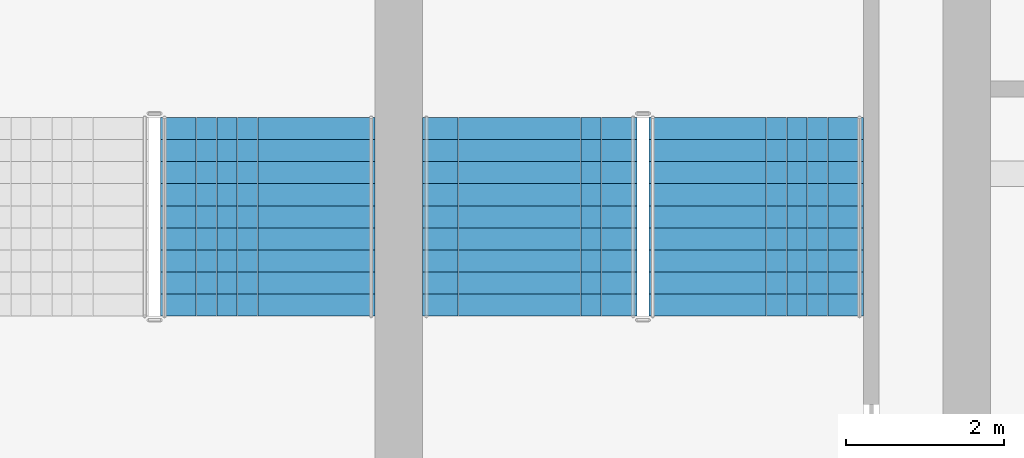
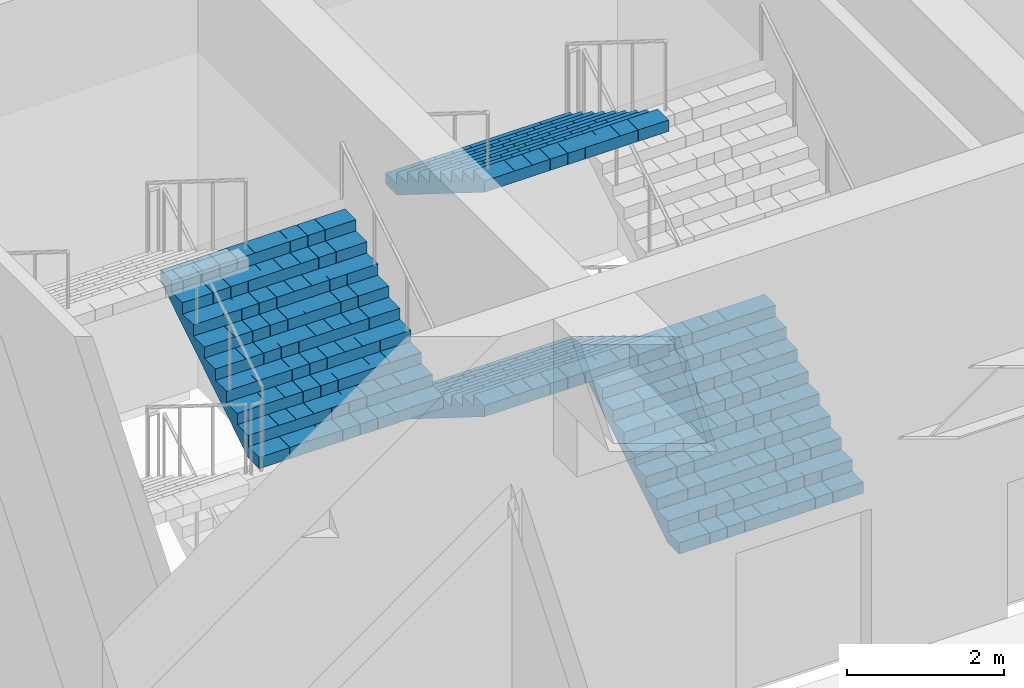
# One storey, part 37 of 45: 4 stair flights, 2 elements without a shape of their own.
"""IFC4 building model written with IfcOpenShell, lengths in metres."""

from ifc_helpers import new_model, si_unit, direction, frame, origin, place, context, subcontext, project, spatial, polyline, outline, extrude, material, type_object, element, aggregate, save


model = new_model("IFC4")

# Units and contexts
model_context = context("Model", 3, precision=1e-05, world=origin(), true_north=direction((0.0, 1.0)))
body_context = subcontext(model_context, "Body", "Model", "MODEL_VIEW")
ifc_project = project(units=[si_unit("LENGTHUNIT", "METRE"), si_unit("AREAUNIT", "SQUARE_METRE"), si_unit("VOLUMEUNIT", "CUBIC_METRE"), si_unit("PLANEANGLEUNIT", "RADIAN"), si_unit("MASSUNIT", "GRAM", prefix="KILO")], contexts=[model_context])

# Site, building, storey
site_placement = place(None, origin())
site = spatial("IfcSite", under=ifc_project, at=site_placement, CompositionType="ELEMENT")
building_placement = place(site_placement, origin())
building = spatial("IfcBuilding", under=site, at=building_placement, Name="Corbelhall Arena Tower", CompositionType="ELEMENT")
storey_placement = place(building_placement, frame((0.0, 0.0, 37.0)))
storey = spatial("IfcBuildingStorey", under=building, at=storey_placement, Name="L05", CompositionType="ELEMENT", Elevation=37.0)

# Stair, stair flights
ifc_material = material(Name="Reinforced concrete C40/50", Category="concrete")
stair_type = type_object("IfcStairType", Name="AR-EXIT-STAIR", PredefinedType="HALF_TURN_STAIR", material=ifc_material)
stair_1_placement = place(storey_placement, origin())
stair_1 = element("IfcStair", 1, at=stair_1_placement, inside=storey, type_object=stair_type, Name="L05 exit stair AS3", PredefinedType="HALF_TURN_STAIR")
stair_flight_type = type_object("IfcStairFlightType", Name="AR-EXIT-FLIGHT", PredefinedType="STRAIGHT", material=ifc_material)
stair_flight_1_placement = place(storey_placement, frame((-35.969970703125, 27.320068359375, 0.0), z_axis=(0.0, 0.0, 1.0), x_axis=(0.0, 1.0, 0.0)))
stair_flight_1 = element("IfcStairFlight", 2, at=stair_flight_1_placement, type_object=stair_flight_type, Name="AS3 flight 1", NumberOfRisers=10, NumberOfTreads=9, PredefinedType="STRAIGHT", RiserHeight=0.175, TreadLength=0.28, context=body_context, shape_type="SweptSolid", body=[
    extrude(outline(polyline([(0.0, 0.0), (0.0, 0.175048828125), (0.280029296875, 0.175048828125), (0.280029296875, 0.35009765625), (0.56005859375, 0.35009765625), (0.56005859375, 0.52490234375), (0.840087890625, 0.52490234375), (0.840087890625, 0.699951171875), (1.1201171875, 0.699951171875), (1.1201171875, 0.875), (1.39990234375, 0.875), (1.39990234375, 1.050048828125), (1.679931640625, 1.050048828125), (1.679931640625, 1.22509765625), (1.9599609375, 1.22509765625), (1.9599609375, 1.39990234375), (2.239990234375, 1.39990234375), (2.239990234375, 1.574951171875), (2.52001953125, 1.574951171875), (2.52001953125, 1.75), (2.52001953125, 1.398193359375), (0.28271484375, 0.0), (0.0, 0.0)])), frame((0.0, 1.35986328125, 0.0), z_axis=(0.0, -1.0, 0.0), x_axis=(1.0, 0.0, 0.0)), (0.0, 0.0, 1.0), 0.449951171875),
    extrude(outline(polyline([(0.0, 0.0), (0.0, 0.175048828125), (0.280029296875, 0.175048828125), (0.280029296875, 0.35009765625), (0.56005859375, 0.35009765625), (0.56005859375, 0.52490234375), (0.840087890625, 0.52490234375), (0.840087890625, 0.699951171875), (1.1201171875, 0.699951171875), (1.1201171875, 0.875), (1.39990234375, 0.875), (1.39990234375, 1.050048828125), (1.679931640625, 1.050048828125), (1.679931640625, 1.22509765625), (1.9599609375, 1.22509765625), (1.9599609375, 1.39990234375), (2.239990234375, 1.39990234375), (2.239990234375, 1.574951171875), (2.52001953125, 1.574951171875), (2.52001953125, 1.75), (2.52001953125, 1.398193359375), (0.28271484375, 0.0), (0.0, 0.0)])), frame((0.0, 0.906005859375, 0.0), z_axis=(0.0, -1.0, 0.0), x_axis=(1.0, 0.0, 0.0)), (0.0, 0.0, 1.0), 0.25537109375),
    extrude(outline(polyline([(0.0, 0.0), (0.0, 0.175048828125), (0.280029296875, 0.175048828125), (0.280029296875, 0.35009765625), (0.56005859375, 0.35009765625), (0.56005859375, 0.52490234375), (0.840087890625, 0.52490234375), (0.840087890625, 0.699951171875), (1.1201171875, 0.699951171875), (1.1201171875, 0.875), (1.39990234375, 0.875), (1.39990234375, 1.050048828125), (1.679931640625, 1.050048828125), (1.679931640625, 1.22509765625), (1.9599609375, 1.22509765625), (1.9599609375, 1.39990234375), (2.239990234375, 1.39990234375), (2.239990234375, 1.574951171875), (2.52001953125, 1.574951171875), (2.52001953125, 1.75), (2.52001953125, 1.398193359375), (0.28271484375, 0.0), (0.0, 0.0)])), frame((0.0, 0.646484375, 0.0), z_axis=(0.0, -1.0, 0.0), x_axis=(1.0, 0.0, 0.0)), (0.0, 0.0, 1.0), 0.25537109375),
    extrude(outline(polyline([(0.0, 0.0), (0.0, 0.175048828125), (0.280029296875, 0.175048828125), (0.280029296875, 0.35009765625), (0.56005859375, 0.35009765625), (0.56005859375, 0.52490234375), (0.840087890625, 0.52490234375), (0.840087890625, 0.699951171875), (1.1201171875, 0.699951171875), (1.1201171875, 0.875), (1.39990234375, 0.875), (1.39990234375, 1.050048828125), (1.679931640625, 1.050048828125), (1.679931640625, 1.22509765625), (1.9599609375, 1.22509765625), (1.9599609375, 1.39990234375), (2.239990234375, 1.39990234375), (2.239990234375, 1.574951171875), (2.52001953125, 1.574951171875), (2.52001953125, 1.75), (2.52001953125, 1.398193359375), (0.28271484375, 0.0), (0.0, 0.0)])), frame((0.0, 0.38720703125, 0.0), z_axis=(0.0, -1.0, 0.0), x_axis=(1.0, 0.0, 0.0)), (0.0, 0.0, 1.0), 0.25537109375),
    extrude(outline(polyline([(0.0, 0.0), (0.0, 0.175048828125), (0.280029296875, 0.175048828125), (0.280029296875, 0.35009765625), (0.56005859375, 0.35009765625), (0.56005859375, 0.52490234375), (0.840087890625, 0.52490234375), (0.840087890625, 0.699951171875), (1.1201171875, 0.699951171875), (1.1201171875, 0.875), (1.39990234375, 0.875), (1.39990234375, 1.050048828125), (1.679931640625, 1.050048828125), (1.679931640625, 1.22509765625), (1.9599609375, 1.22509765625), (1.9599609375, 1.39990234375), (2.239990234375, 1.39990234375), (2.239990234375, 1.574951171875), (2.52001953125, 1.574951171875), (2.52001953125, 1.75), (2.52001953125, 1.398193359375), (0.28271484375, 0.0), (0.0, 0.0)])), frame((0.0, 0.127685546875, 0.0), z_axis=(0.0, -1.0, 0.0), x_axis=(1.0, 0.0, 0.0)), (0.0, 0.0, 1.0), 0.25537109375),
    extrude(outline(polyline([(0.0, 0.0), (0.0, 0.175048828125), (0.280029296875, 0.175048828125), (0.280029296875, 0.35009765625), (0.56005859375, 0.35009765625), (0.56005859375, 0.52490234375), (0.840087890625, 0.52490234375), (0.840087890625, 0.699951171875), (1.1201171875, 0.699951171875), (1.1201171875, 0.875), (1.39990234375, 0.875), (1.39990234375, 1.050048828125), (1.679931640625, 1.050048828125), (1.679931640625, 1.22509765625), (1.9599609375, 1.22509765625), (1.9599609375, 1.39990234375), (2.239990234375, 1.39990234375), (2.239990234375, 1.574951171875), (2.52001953125, 1.574951171875), (2.52001953125, 1.75), (2.52001953125, 1.398193359375), (0.28271484375, 0.0), (0.0, 0.0)])), frame((0.0, -0.131591796875, 0.0), z_axis=(0.0, -1.0, 0.0), x_axis=(1.0, 0.0, 0.0)), (0.0, 0.0, 1.0), 0.25537109375),
    extrude(outline(polyline([(0.0, 0.0), (0.0, 0.175048828125), (0.280029296875, 0.175048828125), (0.280029296875, 0.35009765625), (0.56005859375, 0.35009765625), (0.56005859375, 0.52490234375), (0.840087890625, 0.52490234375), (0.840087890625, 0.699951171875), (1.1201171875, 0.699951171875), (1.1201171875, 0.875), (1.39990234375, 0.875), (1.39990234375, 1.050048828125), (1.679931640625, 1.050048828125), (1.679931640625, 1.22509765625), (1.9599609375, 1.22509765625), (1.9599609375, 1.39990234375), (2.239990234375, 1.39990234375), (2.239990234375, 1.574951171875), (2.52001953125, 1.574951171875), (2.52001953125, 1.75), (2.52001953125, 1.398193359375), (0.28271484375, 0.0), (0.0, 0.0)])), frame((0.0, -0.39111328125, 0.0), z_axis=(0.0, -1.0, 0.0), x_axis=(1.0, 0.0, 0.0)), (0.0, 0.0, 1.0), 0.25537109375),
    extrude(outline(polyline([(0.0, 0.0), (0.0, 0.175048828125), (0.280029296875, 0.175048828125), (0.280029296875, 0.35009765625), (0.56005859375, 0.35009765625), (0.56005859375, 0.52490234375), (0.840087890625, 0.52490234375), (0.840087890625, 0.699951171875), (1.1201171875, 0.699951171875), (1.1201171875, 0.875), (1.39990234375, 0.875), (1.39990234375, 1.050048828125), (1.679931640625, 1.050048828125), (1.679931640625, 1.22509765625), (1.9599609375, 1.22509765625), (1.9599609375, 1.39990234375), (2.239990234375, 1.39990234375), (2.239990234375, 1.574951171875), (2.52001953125, 1.574951171875), (2.52001953125, 1.75), (2.52001953125, 1.398193359375), (0.28271484375, 0.0), (0.0, 0.0)])), frame((0.0, -0.650634765625, 0.0), z_axis=(0.0, -1.0, 0.0), x_axis=(1.0, 0.0, 0.0)), (0.0, 0.0, 1.0), 0.25537109375),
    extrude(outline(polyline([(0.0, 0.0), (0.0, 0.175048828125), (0.280029296875, 0.175048828125), (0.280029296875, 0.35009765625), (0.56005859375, 0.35009765625), (0.56005859375, 0.52490234375), (0.840087890625, 0.52490234375), (0.840087890625, 0.699951171875), (1.1201171875, 0.699951171875), (1.1201171875, 0.875), (1.39990234375, 0.875), (1.39990234375, 1.050048828125), (1.679931640625, 1.050048828125), (1.679931640625, 1.22509765625), (1.9599609375, 1.22509765625), (1.9599609375, 1.39990234375), (2.239990234375, 1.39990234375), (2.239990234375, 1.574951171875), (2.52001953125, 1.574951171875), (2.52001953125, 1.75), (2.52001953125, 1.398193359375), (0.28271484375, 0.0), (0.0, 0.0)])), frame((0.0, -0.909912109375, 0.0), z_axis=(0.0, -1.0, 0.0), x_axis=(1.0, 0.0, 0.0)), (0.0, 0.0, 1.0), 0.449951171875),
])
stair_flight_2_placement = place(storey_placement, frame((-38.840087890625, 29.840087890625, 1.75), z_axis=(0.0, 0.0, 1.0), x_axis=(0.0, -1.0, 0.0)))
stair_flight_2 = element("IfcStairFlight", 3, at=stair_flight_2_placement, type_object=stair_flight_type, Name="AS3 flight 2", NumberOfRisers=10, NumberOfTreads=9, PredefinedType="STRAIGHT", RiserHeight=0.175, TreadLength=0.28, context=body_context, shape_type="SweptSolid", body=[
    extrude(outline(polyline([(0.0, 0.0), (0.0, 0.175048828125), (0.280029296875, 0.175048828125), (0.280029296875, 0.35009765625), (0.56005859375, 0.35009765625), (0.56005859375, 0.52490234375), (0.840087890625, 0.52490234375), (0.840087890625, 0.699951171875), (1.1201171875, 0.699951171875), (1.1201171875, 0.875), (1.39990234375, 0.875), (1.39990234375, 1.050048828125), (1.679931640625, 1.050048828125), (1.679931640625, 1.22509765625), (1.9599609375, 1.22509765625), (1.9599609375, 1.39990234375), (2.239990234375, 1.39990234375), (2.239990234375, 1.574951171875), (2.52001953125, 1.574951171875), (2.52001953125, 1.75), (2.52001953125, 1.398193359375), (0.28271484375, 0.0), (0.0, 0.0)])), frame((0.0, 1.35986328125, 0.0), z_axis=(0.0, -1.0, 0.0), x_axis=(1.0, 0.0, 0.0)), (0.0, 0.0, 1.0), 0.449951171875),
    extrude(outline(polyline([(0.0, 0.0), (0.0, 0.175048828125), (0.280029296875, 0.175048828125), (0.280029296875, 0.35009765625), (0.56005859375, 0.35009765625), (0.56005859375, 0.52490234375), (0.840087890625, 0.52490234375), (0.840087890625, 0.699951171875), (1.1201171875, 0.699951171875), (1.1201171875, 0.875), (1.39990234375, 0.875), (1.39990234375, 1.050048828125), (1.679931640625, 1.050048828125), (1.679931640625, 1.22509765625), (1.9599609375, 1.22509765625), (1.9599609375, 1.39990234375), (2.239990234375, 1.39990234375), (2.239990234375, 1.574951171875), (2.52001953125, 1.574951171875), (2.52001953125, 1.75), (2.52001953125, 1.398193359375), (0.28271484375, 0.0), (0.0, 0.0)])), frame((0.0, 0.906005859375, 0.0), z_axis=(0.0, -1.0, 0.0), x_axis=(1.0, 0.0, 0.0)), (0.0, 0.0, 1.0), 0.25537109375),
    extrude(outline(polyline([(0.0, 0.0), (0.0, 0.175048828125), (0.280029296875, 0.175048828125), (0.280029296875, 0.35009765625), (0.56005859375, 0.35009765625), (0.56005859375, 0.52490234375), (0.840087890625, 0.52490234375), (0.840087890625, 0.699951171875), (1.1201171875, 0.699951171875), (1.1201171875, 0.875), (1.39990234375, 0.875), (1.39990234375, 1.050048828125), (1.679931640625, 1.050048828125), (1.679931640625, 1.22509765625), (1.9599609375, 1.22509765625), (1.9599609375, 1.39990234375), (2.239990234375, 1.39990234375), (2.239990234375, 1.574951171875), (2.52001953125, 1.574951171875), (2.52001953125, 1.75), (2.52001953125, 1.398193359375), (0.28271484375, 0.0), (0.0, 0.0)])), frame((0.0, 0.646484375, 0.0), z_axis=(0.0, -1.0, 0.0), x_axis=(1.0, 0.0, 0.0)), (0.0, 0.0, 1.0), 0.25537109375),
    extrude(outline(polyline([(0.0, 0.0), (0.0, 0.175048828125), (0.280029296875, 0.175048828125), (0.280029296875, 0.35009765625), (0.56005859375, 0.35009765625), (0.56005859375, 0.52490234375), (0.840087890625, 0.52490234375), (0.840087890625, 0.699951171875), (1.1201171875, 0.699951171875), (1.1201171875, 0.875), (1.39990234375, 0.875), (1.39990234375, 1.050048828125), (1.679931640625, 1.050048828125), (1.679931640625, 1.22509765625), (1.9599609375, 1.22509765625), (1.9599609375, 1.39990234375), (2.239990234375, 1.39990234375), (2.239990234375, 1.574951171875), (2.52001953125, 1.574951171875), (2.52001953125, 1.75), (2.52001953125, 1.398193359375), (0.28271484375, 0.0), (0.0, 0.0)])), frame((0.0, 0.38720703125, 0.0), z_axis=(0.0, -1.0, 0.0), x_axis=(1.0, 0.0, 0.0)), (0.0, 0.0, 1.0), 0.25537109375),
    extrude(outline(polyline([(0.0, 0.0), (0.0, 0.175048828125), (0.280029296875, 0.175048828125), (0.280029296875, 0.35009765625), (0.56005859375, 0.35009765625), (0.56005859375, 0.52490234375), (0.840087890625, 0.52490234375), (0.840087890625, 0.699951171875), (1.1201171875, 0.699951171875), (1.1201171875, 0.875), (1.39990234375, 0.875), (1.39990234375, 1.050048828125), (1.679931640625, 1.050048828125), (1.679931640625, 1.22509765625), (1.9599609375, 1.22509765625), (1.9599609375, 1.39990234375), (2.239990234375, 1.39990234375), (2.239990234375, 1.574951171875), (2.52001953125, 1.574951171875), (2.52001953125, 1.75), (2.52001953125, 1.398193359375), (0.28271484375, 0.0), (0.0, 0.0)])), frame((0.0, 0.127685546875, 0.0), z_axis=(0.0, -1.0, 0.0), x_axis=(1.0, 0.0, 0.0)), (0.0, 0.0, 1.0), 0.25537109375),
    extrude(outline(polyline([(0.0, 0.0), (0.0, 0.175048828125), (0.280029296875, 0.175048828125), (0.280029296875, 0.35009765625), (0.56005859375, 0.35009765625), (0.56005859375, 0.52490234375), (0.840087890625, 0.52490234375), (0.840087890625, 0.699951171875), (1.1201171875, 0.699951171875), (1.1201171875, 0.875), (1.39990234375, 0.875), (1.39990234375, 1.050048828125), (1.679931640625, 1.050048828125), (1.679931640625, 1.22509765625), (1.9599609375, 1.22509765625), (1.9599609375, 1.39990234375), (2.239990234375, 1.39990234375), (2.239990234375, 1.574951171875), (2.52001953125, 1.574951171875), (2.52001953125, 1.75), (2.52001953125, 1.398193359375), (0.28271484375, 0.0), (0.0, 0.0)])), frame((0.0, -0.131591796875, 0.0), z_axis=(0.0, -1.0, 0.0), x_axis=(1.0, 0.0, 0.0)), (0.0, 0.0, 1.0), 0.25537109375),
    extrude(outline(polyline([(0.0, 0.0), (0.0, 0.175048828125), (0.280029296875, 0.175048828125), (0.280029296875, 0.35009765625), (0.56005859375, 0.35009765625), (0.56005859375, 0.52490234375), (0.840087890625, 0.52490234375), (0.840087890625, 0.699951171875), (1.1201171875, 0.699951171875), (1.1201171875, 0.875), (1.39990234375, 0.875), (1.39990234375, 1.050048828125), (1.679931640625, 1.050048828125), (1.679931640625, 1.22509765625), (1.9599609375, 1.22509765625), (1.9599609375, 1.39990234375), (2.239990234375, 1.39990234375), (2.239990234375, 1.574951171875), (2.52001953125, 1.574951171875), (2.52001953125, 1.75), (2.52001953125, 1.398193359375), (0.28271484375, 0.0), (0.0, 0.0)])), frame((0.0, -0.39111328125, 0.0), z_axis=(0.0, -1.0, 0.0), x_axis=(1.0, 0.0, 0.0)), (0.0, 0.0, 1.0), 0.25537109375),
    extrude(outline(polyline([(0.0, 0.0), (0.0, 0.175048828125), (0.280029296875, 0.175048828125), (0.280029296875, 0.35009765625), (0.56005859375, 0.35009765625), (0.56005859375, 0.52490234375), (0.840087890625, 0.52490234375), (0.840087890625, 0.699951171875), (1.1201171875, 0.699951171875), (1.1201171875, 0.875), (1.39990234375, 0.875), (1.39990234375, 1.050048828125), (1.679931640625, 1.050048828125), (1.679931640625, 1.22509765625), (1.9599609375, 1.22509765625), (1.9599609375, 1.39990234375), (2.239990234375, 1.39990234375), (2.239990234375, 1.574951171875), (2.52001953125, 1.574951171875), (2.52001953125, 1.75), (2.52001953125, 1.398193359375), (0.28271484375, 0.0), (0.0, 0.0)])), frame((0.0, -0.650634765625, 0.0), z_axis=(0.0, -1.0, 0.0), x_axis=(1.0, 0.0, 0.0)), (0.0, 0.0, 1.0), 0.25537109375),
    extrude(outline(polyline([(0.0, 0.0), (0.0, 0.175048828125), (0.280029296875, 0.175048828125), (0.280029296875, 0.35009765625), (0.56005859375, 0.35009765625), (0.56005859375, 0.52490234375), (0.840087890625, 0.52490234375), (0.840087890625, 0.699951171875), (1.1201171875, 0.699951171875), (1.1201171875, 0.875), (1.39990234375, 0.875), (1.39990234375, 1.050048828125), (1.679931640625, 1.050048828125), (1.679931640625, 1.22509765625), (1.9599609375, 1.22509765625), (1.9599609375, 1.39990234375), (2.239990234375, 1.39990234375), (2.239990234375, 1.574951171875), (2.52001953125, 1.574951171875), (2.52001953125, 1.75), (2.52001953125, 1.398193359375), (0.28271484375, 0.0), (0.0, 0.0)])), frame((0.0, -0.909912109375, 0.0), z_axis=(0.0, -1.0, 0.0), x_axis=(1.0, 0.0, 0.0)), (0.0, 0.0, 1.0), 0.449951171875),
])
stair_flight_3_placement = place(storey_placement, frame((-38.840087890625, 29.840087890625, 5.25), z_axis=(0.0, 0.0, 1.0), x_axis=(0.0, -1.0, 0.0)))
stair_flight_3 = element("IfcStairFlight", 4, at=stair_flight_3_placement, type_object=stair_flight_type, Name="AS3 flight 4", NumberOfRisers=10, NumberOfTreads=9, PredefinedType="STRAIGHT", RiserHeight=0.175, TreadLength=0.28, context=body_context, shape_type="SweptSolid", body=[
    extrude(outline(polyline([(0.0, 0.0), (0.0, 0.175048828125), (0.280029296875, 0.175048828125), (0.280029296875, 0.35009765625), (0.56005859375, 0.35009765625), (0.56005859375, 0.52490234375), (0.840087890625, 0.52490234375), (0.840087890625, 0.699951171875), (1.1201171875, 0.699951171875), (1.1201171875, 0.875), (1.39990234375, 0.875), (1.39990234375, 1.050048828125), (1.679931640625, 1.050048828125), (1.679931640625, 1.22509765625), (1.9599609375, 1.22509765625), (1.9599609375, 1.39990234375), (2.239990234375, 1.39990234375), (2.239990234375, 1.574951171875), (2.52001953125, 1.574951171875), (2.52001953125, 1.75), (2.52001953125, 1.398193359375), (0.28271484375, 0.0), (0.0, 0.0)])), frame((0.0, 1.35986328125, 0.0), z_axis=(0.0, -1.0, 0.0), x_axis=(1.0, 0.0, 0.0)), (0.0, 0.0, 1.0), 0.449951171875),
    extrude(outline(polyline([(0.0, 0.0), (0.0, 0.175048828125), (0.280029296875, 0.175048828125), (0.280029296875, 0.35009765625), (0.56005859375, 0.35009765625), (0.56005859375, 0.52490234375), (0.840087890625, 0.52490234375), (0.840087890625, 0.699951171875), (1.1201171875, 0.699951171875), (1.1201171875, 0.875), (1.39990234375, 0.875), (1.39990234375, 1.050048828125), (1.679931640625, 1.050048828125), (1.679931640625, 1.22509765625), (1.9599609375, 1.22509765625), (1.9599609375, 1.39990234375), (2.239990234375, 1.39990234375), (2.239990234375, 1.574951171875), (2.52001953125, 1.574951171875), (2.52001953125, 1.75), (2.52001953125, 1.398193359375), (0.28271484375, 0.0), (0.0, 0.0)])), frame((0.0, 0.906005859375, 0.0), z_axis=(0.0, -1.0, 0.0), x_axis=(1.0, 0.0, 0.0)), (0.0, 0.0, 1.0), 0.25537109375),
    extrude(outline(polyline([(0.0, 0.0), (0.0, 0.175048828125), (0.280029296875, 0.175048828125), (0.280029296875, 0.35009765625), (0.56005859375, 0.35009765625), (0.56005859375, 0.52490234375), (0.840087890625, 0.52490234375), (0.840087890625, 0.699951171875), (1.1201171875, 0.699951171875), (1.1201171875, 0.875), (1.39990234375, 0.875), (1.39990234375, 1.050048828125), (1.679931640625, 1.050048828125), (1.679931640625, 1.22509765625), (1.9599609375, 1.22509765625), (1.9599609375, 1.39990234375), (2.239990234375, 1.39990234375), (2.239990234375, 1.574951171875), (2.52001953125, 1.574951171875), (2.52001953125, 1.75), (2.52001953125, 1.398193359375), (0.28271484375, 0.0), (0.0, 0.0)])), frame((0.0, 0.646484375, 0.0), z_axis=(0.0, -1.0, 0.0), x_axis=(1.0, 0.0, 0.0)), (0.0, 0.0, 1.0), 0.25537109375),
    extrude(outline(polyline([(0.0, 0.0), (0.0, 0.175048828125), (0.280029296875, 0.175048828125), (0.280029296875, 0.35009765625), (0.56005859375, 0.35009765625), (0.56005859375, 0.52490234375), (0.840087890625, 0.52490234375), (0.840087890625, 0.699951171875), (1.1201171875, 0.699951171875), (1.1201171875, 0.875), (1.39990234375, 0.875), (1.39990234375, 1.050048828125), (1.679931640625, 1.050048828125), (1.679931640625, 1.22509765625), (1.9599609375, 1.22509765625), (1.9599609375, 1.39990234375), (2.239990234375, 1.39990234375), (2.239990234375, 1.574951171875), (2.52001953125, 1.574951171875), (2.52001953125, 1.75), (2.52001953125, 1.398193359375), (0.28271484375, 0.0), (0.0, 0.0)])), frame((0.0, 0.38720703125, 0.0), z_axis=(0.0, -1.0, 0.0), x_axis=(1.0, 0.0, 0.0)), (0.0, 0.0, 1.0), 0.25537109375),
    extrude(outline(polyline([(0.0, 0.0), (0.0, 0.175048828125), (0.280029296875, 0.175048828125), (0.280029296875, 0.35009765625), (0.56005859375, 0.35009765625), (0.56005859375, 0.52490234375), (0.840087890625, 0.52490234375), (0.840087890625, 0.699951171875), (1.1201171875, 0.699951171875), (1.1201171875, 0.875), (1.39990234375, 0.875), (1.39990234375, 1.050048828125), (1.679931640625, 1.050048828125), (1.679931640625, 1.22509765625), (1.9599609375, 1.22509765625), (1.9599609375, 1.39990234375), (2.239990234375, 1.39990234375), (2.239990234375, 1.574951171875), (2.52001953125, 1.574951171875), (2.52001953125, 1.75), (2.52001953125, 1.398193359375), (0.28271484375, 0.0), (0.0, 0.0)])), frame((0.0, 0.127685546875, 0.0), z_axis=(0.0, -1.0, 0.0), x_axis=(1.0, 0.0, 0.0)), (0.0, 0.0, 1.0), 0.25537109375),
    extrude(outline(polyline([(0.0, 0.0), (0.0, 0.175048828125), (0.280029296875, 0.175048828125), (0.280029296875, 0.35009765625), (0.56005859375, 0.35009765625), (0.56005859375, 0.52490234375), (0.840087890625, 0.52490234375), (0.840087890625, 0.699951171875), (1.1201171875, 0.699951171875), (1.1201171875, 0.875), (1.39990234375, 0.875), (1.39990234375, 1.050048828125), (1.679931640625, 1.050048828125), (1.679931640625, 1.22509765625), (1.9599609375, 1.22509765625), (1.9599609375, 1.39990234375), (2.239990234375, 1.39990234375), (2.239990234375, 1.574951171875), (2.52001953125, 1.574951171875), (2.52001953125, 1.75), (2.52001953125, 1.398193359375), (0.28271484375, 0.0), (0.0, 0.0)])), frame((0.0, -0.131591796875, 0.0), z_axis=(0.0, -1.0, 0.0), x_axis=(1.0, 0.0, 0.0)), (0.0, 0.0, 1.0), 0.25537109375),
    extrude(outline(polyline([(0.0, 0.0), (0.0, 0.175048828125), (0.280029296875, 0.175048828125), (0.280029296875, 0.35009765625), (0.56005859375, 0.35009765625), (0.56005859375, 0.52490234375), (0.840087890625, 0.52490234375), (0.840087890625, 0.699951171875), (1.1201171875, 0.699951171875), (1.1201171875, 0.875), (1.39990234375, 0.875), (1.39990234375, 1.050048828125), (1.679931640625, 1.050048828125), (1.679931640625, 1.22509765625), (1.9599609375, 1.22509765625), (1.9599609375, 1.39990234375), (2.239990234375, 1.39990234375), (2.239990234375, 1.574951171875), (2.52001953125, 1.574951171875), (2.52001953125, 1.75), (2.52001953125, 1.398193359375), (0.28271484375, 0.0), (0.0, 0.0)])), frame((0.0, -0.39111328125, 0.0), z_axis=(0.0, -1.0, 0.0), x_axis=(1.0, 0.0, 0.0)), (0.0, 0.0, 1.0), 0.25537109375),
    extrude(outline(polyline([(0.0, 0.0), (0.0, 0.175048828125), (0.280029296875, 0.175048828125), (0.280029296875, 0.35009765625), (0.56005859375, 0.35009765625), (0.56005859375, 0.52490234375), (0.840087890625, 0.52490234375), (0.840087890625, 0.699951171875), (1.1201171875, 0.699951171875), (1.1201171875, 0.875), (1.39990234375, 0.875), (1.39990234375, 1.050048828125), (1.679931640625, 1.050048828125), (1.679931640625, 1.22509765625), (1.9599609375, 1.22509765625), (1.9599609375, 1.39990234375), (2.239990234375, 1.39990234375), (2.239990234375, 1.574951171875), (2.52001953125, 1.574951171875), (2.52001953125, 1.75), (2.52001953125, 1.398193359375), (0.28271484375, 0.0), (0.0, 0.0)])), frame((0.0, -0.650634765625, 0.0), z_axis=(0.0, -1.0, 0.0), x_axis=(1.0, 0.0, 0.0)), (0.0, 0.0, 1.0), 0.25537109375),
    extrude(outline(polyline([(0.0, 0.0), (0.0, 0.175048828125), (0.280029296875, 0.175048828125), (0.280029296875, 0.35009765625), (0.56005859375, 0.35009765625), (0.56005859375, 0.52490234375), (0.840087890625, 0.52490234375), (0.840087890625, 0.699951171875), (1.1201171875, 0.699951171875), (1.1201171875, 0.875), (1.39990234375, 0.875), (1.39990234375, 1.050048828125), (1.679931640625, 1.050048828125), (1.679931640625, 1.22509765625), (1.9599609375, 1.22509765625), (1.9599609375, 1.39990234375), (2.239990234375, 1.39990234375), (2.239990234375, 1.574951171875), (2.52001953125, 1.574951171875), (2.52001953125, 1.75), (2.52001953125, 1.398193359375), (0.28271484375, 0.0), (0.0, 0.0)])), frame((0.0, -0.909912109375, 0.0), z_axis=(0.0, -1.0, 0.0), x_axis=(1.0, 0.0, 0.0)), (0.0, 0.0, 1.0), 0.449951171875),
])
aggregate(stair_1, [stair_flight_1, stair_flight_2, stair_flight_3])

# Stair, stair flight
stair_2_placement = place(storey_placement, origin())
stair_2 = element("IfcStair", 5, at=stair_2_placement, inside=storey, type_object=stair_type, Name="L05 exit stair AS4", PredefinedType="HALF_TURN_STAIR")
stair_flight_4_placement = place(storey_placement, frame((-42.159912109375, 27.320068359375, 3.5), z_axis=(0.0, 0.0, 1.0), x_axis=(0.0, 1.0, 0.0)))
stair_flight_4 = element("IfcStairFlight", 6, at=stair_flight_4_placement, type_object=stair_flight_type, Name="AS4 flight 3", NumberOfRisers=10, NumberOfTreads=9, PredefinedType="STRAIGHT", RiserHeight=0.175, TreadLength=0.28, context=body_context, shape_type="SweptSolid", body=[
    extrude(outline(polyline([(0.0, 0.0), (0.0, 0.175048828125), (0.280029296875, 0.175048828125), (0.280029296875, 0.35009765625), (0.56005859375, 0.35009765625), (0.56005859375, 0.52490234375), (0.840087890625, 0.52490234375), (0.840087890625, 0.699951171875), (1.1201171875, 0.699951171875), (1.1201171875, 0.875), (1.39990234375, 0.875), (1.39990234375, 1.050048828125), (1.679931640625, 1.050048828125), (1.679931640625, 1.22509765625), (1.9599609375, 1.22509765625), (1.9599609375, 1.39990234375), (2.239990234375, 1.39990234375), (2.239990234375, 1.574951171875), (2.52001953125, 1.574951171875), (2.52001953125, 1.75), (2.52001953125, 1.398193359375), (0.28271484375, 0.0), (0.0, 0.0)])), frame((0.0, 1.35986328125, 0.0), z_axis=(0.0, -1.0, 0.0), x_axis=(1.0, 0.0, 0.0)), (0.0, 0.0, 1.0), 0.449951171875),
    extrude(outline(polyline([(0.0, 0.0), (0.0, 0.175048828125), (0.280029296875, 0.175048828125), (0.280029296875, 0.35009765625), (0.56005859375, 0.35009765625), (0.56005859375, 0.52490234375), (0.840087890625, 0.52490234375), (0.840087890625, 0.699951171875), (1.1201171875, 0.699951171875), (1.1201171875, 0.875), (1.39990234375, 0.875), (1.39990234375, 1.050048828125), (1.679931640625, 1.050048828125), (1.679931640625, 1.22509765625), (1.9599609375, 1.22509765625), (1.9599609375, 1.39990234375), (2.239990234375, 1.39990234375), (2.239990234375, 1.574951171875), (2.52001953125, 1.574951171875), (2.52001953125, 1.75), (2.52001953125, 1.398193359375), (0.28271484375, 0.0), (0.0, 0.0)])), frame((0.0, 0.906005859375, 0.0), z_axis=(0.0, -1.0, 0.0), x_axis=(1.0, 0.0, 0.0)), (0.0, 0.0, 1.0), 0.25537109375),
    extrude(outline(polyline([(0.0, 0.0), (0.0, 0.175048828125), (0.280029296875, 0.175048828125), (0.280029296875, 0.35009765625), (0.56005859375, 0.35009765625), (0.56005859375, 0.52490234375), (0.840087890625, 0.52490234375), (0.840087890625, 0.699951171875), (1.1201171875, 0.699951171875), (1.1201171875, 0.875), (1.39990234375, 0.875), (1.39990234375, 1.050048828125), (1.679931640625, 1.050048828125), (1.679931640625, 1.22509765625), (1.9599609375, 1.22509765625), (1.9599609375, 1.39990234375), (2.239990234375, 1.39990234375), (2.239990234375, 1.574951171875), (2.52001953125, 1.574951171875), (2.52001953125, 1.75), (2.52001953125, 1.398193359375), (0.28271484375, 0.0), (0.0, 0.0)])), frame((0.0, 0.646484375, 0.0), z_axis=(0.0, -1.0, 0.0), x_axis=(1.0, 0.0, 0.0)), (0.0, 0.0, 1.0), 0.25537109375),
    extrude(outline(polyline([(0.0, 0.0), (0.0, 0.175048828125), (0.280029296875, 0.175048828125), (0.280029296875, 0.35009765625), (0.56005859375, 0.35009765625), (0.56005859375, 0.52490234375), (0.840087890625, 0.52490234375), (0.840087890625, 0.699951171875), (1.1201171875, 0.699951171875), (1.1201171875, 0.875), (1.39990234375, 0.875), (1.39990234375, 1.050048828125), (1.679931640625, 1.050048828125), (1.679931640625, 1.22509765625), (1.9599609375, 1.22509765625), (1.9599609375, 1.39990234375), (2.239990234375, 1.39990234375), (2.239990234375, 1.574951171875), (2.52001953125, 1.574951171875), (2.52001953125, 1.75), (2.52001953125, 1.398193359375), (0.28271484375, 0.0), (0.0, 0.0)])), frame((0.0, 0.38720703125, 0.0), z_axis=(0.0, -1.0, 0.0), x_axis=(1.0, 0.0, 0.0)), (0.0, 0.0, 1.0), 0.25537109375),
    extrude(outline(polyline([(0.0, 0.0), (0.0, 0.175048828125), (0.280029296875, 0.175048828125), (0.280029296875, 0.35009765625), (0.56005859375, 0.35009765625), (0.56005859375, 0.52490234375), (0.840087890625, 0.52490234375), (0.840087890625, 0.699951171875), (1.1201171875, 0.699951171875), (1.1201171875, 0.875), (1.39990234375, 0.875), (1.39990234375, 1.050048828125), (1.679931640625, 1.050048828125), (1.679931640625, 1.22509765625), (1.9599609375, 1.22509765625), (1.9599609375, 1.39990234375), (2.239990234375, 1.39990234375), (2.239990234375, 1.574951171875), (2.52001953125, 1.574951171875), (2.52001953125, 1.75), (2.52001953125, 1.398193359375), (0.28271484375, 0.0), (0.0, 0.0)])), frame((0.0, 0.127685546875, 0.0), z_axis=(0.0, -1.0, 0.0), x_axis=(1.0, 0.0, 0.0)), (0.0, 0.0, 1.0), 0.25537109375),
    extrude(outline(polyline([(0.0, 0.0), (0.0, 0.175048828125), (0.280029296875, 0.175048828125), (0.280029296875, 0.35009765625), (0.56005859375, 0.35009765625), (0.56005859375, 0.52490234375), (0.840087890625, 0.52490234375), (0.840087890625, 0.699951171875), (1.1201171875, 0.699951171875), (1.1201171875, 0.875), (1.39990234375, 0.875), (1.39990234375, 1.050048828125), (1.679931640625, 1.050048828125), (1.679931640625, 1.22509765625), (1.9599609375, 1.22509765625), (1.9599609375, 1.39990234375), (2.239990234375, 1.39990234375), (2.239990234375, 1.574951171875), (2.52001953125, 1.574951171875), (2.52001953125, 1.75), (2.52001953125, 1.398193359375), (0.28271484375, 0.0), (0.0, 0.0)])), frame((0.0, -0.131591796875, 0.0), z_axis=(0.0, -1.0, 0.0), x_axis=(1.0, 0.0, 0.0)), (0.0, 0.0, 1.0), 0.25537109375),
    extrude(outline(polyline([(0.0, 0.0), (0.0, 0.175048828125), (0.280029296875, 0.175048828125), (0.280029296875, 0.35009765625), (0.56005859375, 0.35009765625), (0.56005859375, 0.52490234375), (0.840087890625, 0.52490234375), (0.840087890625, 0.699951171875), (1.1201171875, 0.699951171875), (1.1201171875, 0.875), (1.39990234375, 0.875), (1.39990234375, 1.050048828125), (1.679931640625, 1.050048828125), (1.679931640625, 1.22509765625), (1.9599609375, 1.22509765625), (1.9599609375, 1.39990234375), (2.239990234375, 1.39990234375), (2.239990234375, 1.574951171875), (2.52001953125, 1.574951171875), (2.52001953125, 1.75), (2.52001953125, 1.398193359375), (0.28271484375, 0.0), (0.0, 0.0)])), frame((0.0, -0.39111328125, 0.0), z_axis=(0.0, -1.0, 0.0), x_axis=(1.0, 0.0, 0.0)), (0.0, 0.0, 1.0), 0.25537109375),
    extrude(outline(polyline([(0.0, 0.0), (0.0, 0.175048828125), (0.280029296875, 0.175048828125), (0.280029296875, 0.35009765625), (0.56005859375, 0.35009765625), (0.56005859375, 0.52490234375), (0.840087890625, 0.52490234375), (0.840087890625, 0.699951171875), (1.1201171875, 0.699951171875), (1.1201171875, 0.875), (1.39990234375, 0.875), (1.39990234375, 1.050048828125), (1.679931640625, 1.050048828125), (1.679931640625, 1.22509765625), (1.9599609375, 1.22509765625), (1.9599609375, 1.39990234375), (2.239990234375, 1.39990234375), (2.239990234375, 1.574951171875), (2.52001953125, 1.574951171875), (2.52001953125, 1.75), (2.52001953125, 1.398193359375), (0.28271484375, 0.0), (0.0, 0.0)])), frame((0.0, -0.650634765625, 0.0), z_axis=(0.0, -1.0, 0.0), x_axis=(1.0, 0.0, 0.0)), (0.0, 0.0, 1.0), 0.25537109375),
    extrude(outline(polyline([(0.0, 0.0), (0.0, 0.175048828125), (0.280029296875, 0.175048828125), (0.280029296875, 0.35009765625), (0.56005859375, 0.35009765625), (0.56005859375, 0.52490234375), (0.840087890625, 0.52490234375), (0.840087890625, 0.699951171875), (1.1201171875, 0.699951171875), (1.1201171875, 0.875), (1.39990234375, 0.875), (1.39990234375, 1.050048828125), (1.679931640625, 1.050048828125), (1.679931640625, 1.22509765625), (1.9599609375, 1.22509765625), (1.9599609375, 1.39990234375), (2.239990234375, 1.39990234375), (2.239990234375, 1.574951171875), (2.52001953125, 1.574951171875), (2.52001953125, 1.75), (2.52001953125, 1.398193359375), (0.28271484375, 0.0), (0.0, 0.0)])), frame((0.0, -0.909912109375, 0.0), z_axis=(0.0, -1.0, 0.0), x_axis=(1.0, 0.0, 0.0)), (0.0, 0.0, 1.0), 0.449951171875),
])
aggregate(stair_2, [stair_flight_4])

save(model, "model.ifc")
